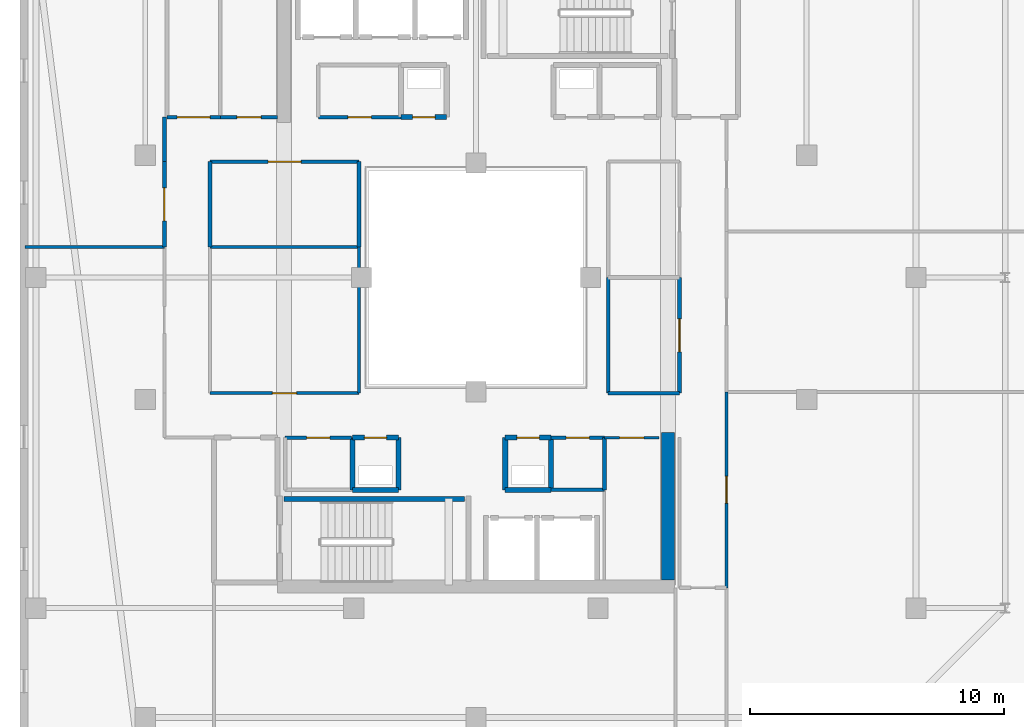
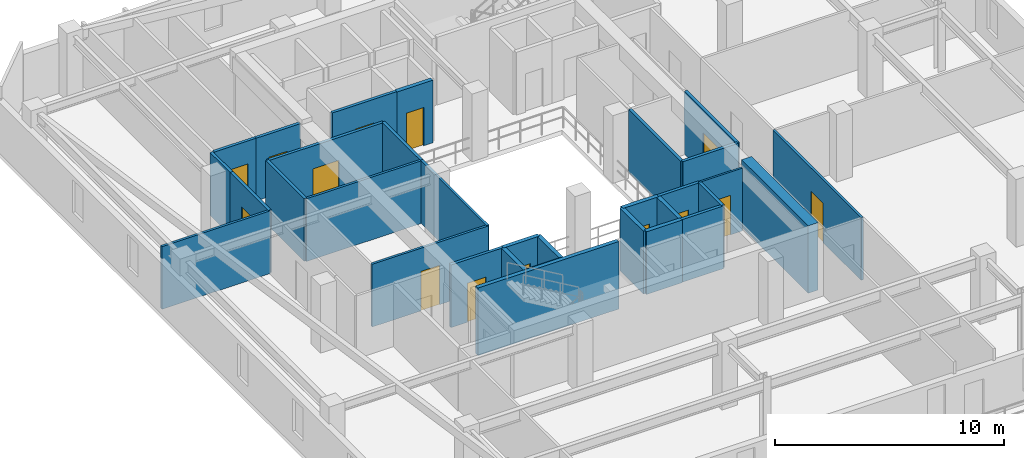
# One storey, part 22 of 35: 32 walls, 14 doors, 14 openings.
"""IFC4 building model written with IfcOpenShell, lengths in metres."""

from ifc_helpers import new_model, si_unit, direction, frame, frame_2d, origin, place, context, subcontext, project, spatial, rectangle, extrude, material, layer, layer_set, type_object, element, fill, save


model = new_model("IFC4")

# Units and contexts
model_context = context("Model", 3, precision=1e-05, world=origin(), true_north=direction((0.0, 1.0)))
body_context = subcontext(model_context, "Body", "Model", "MODEL_VIEW")
ifc_project = project(units=[si_unit("LENGTHUNIT", "METRE"), si_unit("AREAUNIT", "SQUARE_METRE"), si_unit("VOLUMEUNIT", "CUBIC_METRE"), si_unit("PLANEANGLEUNIT", "RADIAN"), si_unit("MASSUNIT", "GRAM", prefix="KILO")], contexts=[model_context])

# Site, building, storey
site_placement = place(None, origin())
site = spatial("IfcSite", under=ifc_project, at=site_placement, CompositionType="ELEMENT")
building_placement = place(site_placement, origin())
building = spatial("IfcBuilding", under=site, at=building_placement, Name="Thornwick Lancets Civic Towers", CompositionType="ELEMENT")
storey_placement = place(building_placement, frame((0.0, 0.0, 269.10009765625)))
storey = spatial("IfcBuildingStorey", under=building, at=storey_placement, Name="L72", CompositionType="ELEMENT", Elevation=269.10009765625)

# Walls
ifc_material_1 = material(Name="Concrete blockwork C40/50", Category="masonry")
ifc_layer_1 = layer(ifc_material_1, 0.199951171875, Name="Concrete blockwork C40/50")
ifc_layer_set_1 = layer_set([ifc_layer_1], Name="Concrete blockwork C40/50")
wall_type_1 = type_object("IfcWallType", Name="WALL_COMP_200", PredefinedType="STANDARD", material=ifc_layer_set_1)
wall_1_placement = place(storey_placement, frame((26.64990234375, 18.64990234375, 0.0), z_axis=(0.0, 0.0, 1.0), x_axis=(1.0, 0.0, 0.0)))
element("IfcWall", 1, at=wall_1_placement, inside=storey, type_object=wall_type_1, Name="L72 Partition L72-A-DUCT1 E1", PredefinedType="STANDARD", context=body_context, shape_type="SweptSolid", body=[
    extrude(rectangle(XDim=1.800048828125, YDim=0.199951171875, at=frame_2d((0.89990234375, 0.0))), origin(), (0.0, 0.0, 1.0), 3.33984375),
])
wall_2_placement = place(storey_placement, frame((28.449951171875, 18.64990234375, 0.0), z_axis=(0.0, 0.0, 1.0), x_axis=(0.0, 1.0, 0.0)))
element("IfcWall", 2, at=wall_2_placement, inside=storey, type_object=wall_type_1, Name="L72 Partition L72-A-DUCT1 E2", PredefinedType="STANDARD", context=body_context, shape_type="SweptSolid", body=[
    extrude(rectangle(XDim=2.050048828125, YDim=0.199951171875, at=frame_2d((1.02490234375, 0.0))), origin(), (0.0, 0.0, 1.0), 3.33984375),
])

# Wall, opening, door
wall_3_placement = place(storey_placement, frame((28.449951171875, 20.699951171875, 0.0), z_axis=(0.0, 0.0, 1.0), x_axis=(-1.0, 0.0, 0.0)))
wall_3 = element("IfcWall", 3, at=wall_3_placement, inside=storey, type_object=wall_type_1, Name="L72 Partition L72-A-DUCT1 E3", PredefinedType="STANDARD", context=body_context, shape_type="SweptSolid", body=[
    extrude(rectangle(XDim=1.800048828125, YDim=0.199951171875, at=frame_2d((0.89990234375, 0.0))), origin(), (0.0, 0.0, 1.0), 3.33984375),
])
opening_1_placement = place(wall_3_placement, frame((0.4599609375, 0.0, 0.0)))
opening_1 = element("IfcOpeningElement", 4, at=opening_1_placement, cuts=wall_3, Name="Opening D-L72-3279", PredefinedType="OPENING", context=body_context, shape_type="SweptSolid", body=[
    extrude(rectangle(XDim=0.8798828125, YDim=2.0400390625, at=frame_2d((0.43994140625, 1.02001953125))), frame((0.0, 0.10986328125, 0.0), z_axis=(0.0, -1.0, 0.0), x_axis=(1.0, 0.0, 0.0)), (0.0, 0.0, 1.0), 0.219970703125),
])
ifc_material_2 = material(Name="Steel riser access doorset", Category="steel")
door_type_1 = type_object("IfcDoorType", Name="DOOR_RISER_850", OperationType="NOTDEFINED", PredefinedType="DOOR", material=ifc_material_2)
door_1_placement = place(opening_1_placement, origin())
door_1 = element("IfcDoor", 5, at=door_1_placement, inside=storey, type_object=door_type_1, Name="L72 South Service Duct 1 Door", OperationType="SINGLE_SWING_RIGHT", OverallHeight=2.0400390625, OverallWidth=0.8798828125, PredefinedType="DOOR", context=body_context, shape_type="SweptSolid", body=[
    extrude(rectangle(XDim=0.8798828125, YDim=2.0400390625, at=frame_2d((0.43994140625, 1.02001953125))), frame((0.0, 0.02490234375, 0.0), z_axis=(0.0, -1.0, 0.0), x_axis=(1.0, 0.0, 0.0)), (0.0, 0.0, 1.0), 0.050048828125),
])
fill(opening_1, door_1)

# Walls
wall_4_placement = place(storey_placement, frame((26.64990234375, 20.699951171875, 0.0), z_axis=(0.0, 0.0, 1.0), x_axis=(0.0, -1.0, 0.0)))
element("IfcWall", 6, at=wall_4_placement, inside=storey, type_object=wall_type_1, Name="L72 Partition L72-A-DUCT1 E4", PredefinedType="STANDARD", context=body_context, shape_type="SweptSolid", body=[
    extrude(rectangle(XDim=2.050048828125, YDim=0.199951171875, at=frame_2d((1.02490234375, 0.0))), origin(), (0.0, 0.0, 1.0), 3.33984375),
])
wall_5_placement = place(storey_placement, frame((20.64990234375, 18.64990234375, 0.0), z_axis=(0.0, 0.0, 1.0), x_axis=(1.0, 0.0, 0.0)))
element("IfcWall", 7, at=wall_5_placement, inside=storey, type_object=wall_type_1, Name="L72 Partition L72-A-RISER1 E1", PredefinedType="STANDARD", context=body_context, shape_type="SweptSolid", body=[
    extrude(rectangle(XDim=1.800048828125, YDim=0.199951171875, at=frame_2d((0.89990234375, 0.0))), origin(), (0.0, 0.0, 1.0), 3.33984375),
])
wall_6_placement = place(storey_placement, frame((22.449951171875, 18.64990234375, 0.0), z_axis=(0.0, 0.0, 1.0), x_axis=(0.0, 1.0, 0.0)))
element("IfcWall", 8, at=wall_6_placement, inside=storey, type_object=wall_type_1, Name="L72 Partition L72-A-RISER1 E2", PredefinedType="STANDARD", context=body_context, shape_type="SweptSolid", body=[
    extrude(rectangle(XDim=2.050048828125, YDim=0.199951171875, at=frame_2d((1.02490234375, 0.0))), origin(), (0.0, 0.0, 1.0), 3.33984375),
])

# Wall, opening, door
wall_7_placement = place(storey_placement, frame((22.449951171875, 20.699951171875, 0.0), z_axis=(0.0, 0.0, 1.0), x_axis=(-1.0, 0.0, 0.0)))
wall_7 = element("IfcWall", 9, at=wall_7_placement, inside=storey, type_object=wall_type_1, Name="L72 Partition L72-A-RISER1 E3", PredefinedType="STANDARD", context=body_context, shape_type="SweptSolid", body=[
    extrude(rectangle(XDim=1.800048828125, YDim=0.199951171875, at=frame_2d((0.89990234375, 0.0))), origin(), (0.0, 0.0, 1.0), 3.33984375),
])
opening_2_placement = place(wall_7_placement, frame((0.4599609375, 0.0, 0.0)))
opening_2 = element("IfcOpeningElement", 10, at=opening_2_placement, cuts=wall_7, Name="Opening D-L72-3280", PredefinedType="OPENING", context=body_context, shape_type="SweptSolid", body=[
    extrude(rectangle(XDim=0.8798828125, YDim=2.0400390625, at=frame_2d((0.43994140625, 1.02001953125))), frame((0.0, 0.10986328125, 0.0), z_axis=(0.0, -1.0, 0.0), x_axis=(1.0, 0.0, 0.0)), (0.0, 0.0, 1.0), 0.219970703125),
])
door_2_placement = place(opening_2_placement, origin())
door_2 = element("IfcDoor", 11, at=door_2_placement, inside=storey, type_object=door_type_1, Name="L72 South Electrical Riser 1 Door", OperationType="SINGLE_SWING_LEFT", OverallHeight=2.0400390625, OverallWidth=0.8798828125, PredefinedType="DOOR", context=body_context, shape_type="SweptSolid", body=[
    extrude(rectangle(XDim=0.8798828125, YDim=2.0400390625, at=frame_2d((0.43994140625, 1.02001953125))), frame((0.0, 0.02490234375, 0.0), z_axis=(0.0, -1.0, 0.0), x_axis=(1.0, 0.0, 0.0)), (0.0, 0.0, 1.0), 0.050048828125),
])
fill(opening_2, door_2)

# Wall
wall_8_placement = place(storey_placement, frame((20.64990234375, 20.699951171875, 0.0), z_axis=(0.0, 0.0, 1.0), x_axis=(0.0, -1.0, 0.0)))
element("IfcWall", 12, at=wall_8_placement, inside=storey, type_object=wall_type_1, Name="L72 Partition L72-A-RISER1 E4", PredefinedType="STANDARD", context=body_context, shape_type="SweptSolid", body=[
    extrude(rectangle(XDim=2.050048828125, YDim=0.199951171875, at=frame_2d((1.02490234375, 0.0))), origin(), (0.0, 0.0, 1.0), 3.33984375),
])

# Wall, opening, door
wall_9_placement = place(storey_placement, frame((22.550048828125, 33.300048828125, 0.0), z_axis=(0.0, 0.0, 1.0), x_axis=(1.0, 0.0, 0.0)))
wall_9 = element("IfcWall", 13, at=wall_9_placement, inside=storey, type_object=wall_type_1, Name="L72 Partition L72-A-DUCT2 E1", PredefinedType="STANDARD", context=body_context, shape_type="SweptSolid", body=[
    extrude(rectangle(XDim=1.800048828125, YDim=0.199951171875, at=frame_2d((0.89990234375, 0.0))), origin(), (0.0, 0.0, 1.0), 3.33984375),
])
opening_3_placement = place(wall_9_placement, frame((0.4599609375, 0.0, 0.0)))
opening_3 = element("IfcOpeningElement", 14, at=opening_3_placement, cuts=wall_9, Name="Opening D-L72-3281", PredefinedType="OPENING", context=body_context, shape_type="SweptSolid", body=[
    extrude(rectangle(XDim=0.8798828125, YDim=2.0400390625, at=frame_2d((0.43994140625, 1.02001953125))), frame((0.0, 0.10986328125, 0.0), z_axis=(0.0, -1.0, 0.0), x_axis=(1.0, 0.0, 0.0)), (0.0, 0.0, 1.0), 0.219970703125),
])
door_3_placement = place(opening_3_placement, origin())
door_3 = element("IfcDoor", 15, at=door_3_placement, inside=storey, type_object=door_type_1, Name="L72 North Service Duct 2 Door", OperationType="SINGLE_SWING_RIGHT", OverallHeight=2.0400390625, OverallWidth=0.8798828125, PredefinedType="DOOR", context=body_context, shape_type="SweptSolid", body=[
    extrude(rectangle(XDim=0.8798828125, YDim=2.0400390625, at=frame_2d((0.43994140625, 1.02001953125))), frame((0.0, 0.02490234375, 0.0), z_axis=(0.0, -1.0, 0.0), x_axis=(1.0, 0.0, 0.0)), (0.0, 0.0, 1.0), 0.050048828125),
])
fill(opening_3, door_3)

# Wall
ifc_material_3 = material(Name="Concrete C50/60", Category="concrete")
ifc_layer_2 = layer(ifc_material_3, 0.5, Name="Concrete C50/60")
ifc_layer_set_2 = layer_set([ifc_layer_2], Name="Concrete C50/60")
wall_type_2 = type_object("IfcWallType", Name="WALL_CORE_500", PredefinedType="SHEAR", material=ifc_layer_set_2)
wall_10_placement = place(storey_placement, frame((33.050048828125, 15.10009765625, 0.0), z_axis=(0.0, 0.0, 1.0), x_axis=(0.0, 1.0, 0.0)))
element("IfcWall", 16, at=wall_10_placement, inside=storey, type_object=wall_type_2, Name="L72 Split Core A1 Shear Wall E", PredefinedType="SHEAR", context=body_context, shape_type="SweptSolid", body=[
    extrude(rectangle(XDim=5.7998046875, YDim=0.5, at=frame_2d((2.89990234375, 0.0))), origin(), (0.0, 0.0, 1.0), 3.599853515625),
])

# Wall, opening, door
ifc_material_4 = material(Name="Lightweight cellular office partition")
ifc_layer_3 = layer(ifc_material_4, 0.10009765625, Name="Lightweight cellular office partition")
ifc_layer_set_3 = layer_set([ifc_layer_3], Name="Lightweight cellular office partition")
wall_type_3 = type_object("IfcWallType", Name="WALL_PART_100", PredefinedType="PARTITIONING", material=ifc_layer_set_3)
wall_11_placement = place(storey_placement, frame((30.550048828125, 20.699951171875, 0.0), z_axis=(0.0, 0.0, 1.0), x_axis=(1.0, 0.0, 0.0)))
wall_11 = element("IfcWall", 17, at=wall_11_placement, inside=storey, type_object=wall_type_3, Name="L72 Partition L72-A-CLN E5", PredefinedType="PARTITIONING", context=body_context, shape_type="SweptSolid", body=[
    extrude(rectangle(XDim=2.14990234375, YDim=0.10009765625, at=frame_2d((1.074951171875, 0.0))), origin(), (0.0, 0.0, 1.0), 3.33984375),
])
opening_4_placement = place(wall_11_placement, frame((0.60009765625, 0.0, 0.0)))
opening_4 = element("IfcOpeningElement", 18, at=opening_4_placement, cuts=wall_11, Name="Opening D-L72-3285", PredefinedType="OPENING", context=body_context, shape_type="SweptSolid", body=[
    extrude(rectangle(XDim=0.949951171875, YDim=2.10009765625, at=frame_2d((0.47509765625, 1.050048828125))), frame((0.0, 0.06005859375, 0.0), z_axis=(0.0, -1.0, 0.0), x_axis=(1.0, 0.0, 0.0)), (0.0, 0.0, 1.0), 0.1201171875),
])
ifc_material_5 = material(Name="European oak acoustic doorset")
door_type_2 = type_object("IfcDoorType", Name="DOOR_OFFICE_950", OperationType="NOTDEFINED", PredefinedType="DOOR", material=ifc_material_5)
door_4_placement = place(opening_4_placement, origin())
door_4 = element("IfcDoor", 19, at=door_4_placement, inside=storey, type_object=door_type_2, Name="L72 Tower A Cleaners Store Door", OperationType="SINGLE_SWING_RIGHT", OverallHeight=2.10009765625, OverallWidth=0.949951171875, PredefinedType="DOOR", context=body_context, shape_type="SweptSolid", body=[
    extrude(rectangle(XDim=0.949951171875, YDim=2.10009765625, at=frame_2d((0.47509765625, 1.050048828125))), frame((0.0, 0.02490234375, 0.0), z_axis=(0.0, -1.0, 0.0), x_axis=(1.0, 0.0, 0.0)), (0.0, 0.0, 1.0), 0.050048828125),
])
fill(opening_4, door_4)

# Walls
ifc_material_6 = material(Name="Acoustic gypsum board partition")
ifc_layer_4 = layer(ifc_material_6, 0.1201171875, Name="Acoustic gypsum board partition")
ifc_layer_set_4 = layer_set([ifc_layer_4], Name="Acoustic gypsum board partition")
wall_type_4 = type_object("IfcWallType", Name="WALL_PART_120", PredefinedType="PARTITIONING", material=ifc_layer_set_4)
wall_12_placement = place(storey_placement, frame((7.780029296875, 28.199951171875, 0.0), z_axis=(0.0, 0.0, 1.0), x_axis=(1.0, 0.0, 0.0)))
element("IfcWall", 20, at=wall_12_placement, inside=storey, type_object=wall_type_4, Name="L72 Partition L72-A-W1 E9", PredefinedType="PARTITIONING", context=body_context, shape_type="SweptSolid", body=[
    extrude(rectangle(XDim=5.469970703125, YDim=0.1201171875, at=frame_2d((2.73486328125, 0.0))), origin(), (0.0, 0.0, 1.0), 3.33984375),
])
wall_13_placement = place(storey_placement, frame((15.050048828125, 28.199951171875, 0.0), z_axis=(0.0, 0.0, 1.0), x_axis=(1.0, 0.0, 0.0)))
element("IfcWall", 21, at=wall_13_placement, inside=storey, type_object=wall_type_4, Name="L72 Partition L72-A-W3 E2", PredefinedType="PARTITIONING", context=body_context, shape_type="SweptSolid", body=[
    extrude(rectangle(XDim=5.849853515625, YDim=0.1201171875, at=frame_2d((2.9248046875, 0.0))), origin(), (0.0, 0.0, 1.0), 3.33984375),
])
wall_14_placement = place(storey_placement, frame((20.89990234375, 28.199951171875, 0.0), z_axis=(0.0, 0.0, 1.0), x_axis=(0.0, -1.0, 0.0)))
element("IfcWall", 22, at=wall_14_placement, inside=storey, type_object=wall_type_4, Name="L72 Partition L72-A-W3 E3", PredefinedType="PARTITIONING", context=body_context, shape_type="SweptSolid", body=[
    extrude(rectangle(XDim=5.75, YDim=0.1201171875, at=frame_2d((2.875, 0.0))), origin(), (0.0, 0.0, 1.0), 3.33984375),
])

# Wall, opening, door
wall_15_placement = place(storey_placement, frame((20.89990234375, 22.449951171875, 0.0), z_axis=(0.0, 0.0, 1.0), x_axis=(-1.0, 0.0, 0.0)))
wall_15 = element("IfcWall", 23, at=wall_15_placement, inside=storey, type_object=wall_type_4, Name="L72 Partition L72-A-W3 E4", PredefinedType="PARTITIONING", context=body_context, shape_type="SweptSolid", body=[
    extrude(rectangle(XDim=5.849853515625, YDim=0.1201171875, at=frame_2d((2.9248046875, 0.0))), origin(), (0.0, 0.0, 1.0), 3.33984375),
])
opening_5_placement = place(wall_15_placement, frame((2.449951171875, 0.0, 0.0)))
opening_5 = element("IfcOpeningElement", 24, at=opening_5_placement, cuts=wall_15, Name="Opening D-L72-3304", PredefinedType="OPENING", context=body_context, shape_type="SweptSolid", body=[
    extrude(rectangle(XDim=0.949951171875, YDim=2.10009765625, at=frame_2d((0.47509765625, 1.050048828125))), frame((0.0, 0.070068359375, 0.0), z_axis=(0.0, -1.0, 0.0), x_axis=(1.0, 0.0, 0.0)), (0.0, 0.0, 1.0), 0.14013671875),
])
door_5_placement = place(opening_5_placement, origin())
door_5 = element("IfcDoor", 25, at=door_5_placement, inside=storey, type_object=door_type_2, Name="L72 Tower A Staff Tea Pantry and Lounge Door", OperationType="SINGLE_SWING_LEFT", OverallHeight=2.10009765625, OverallWidth=0.949951171875, PredefinedType="DOOR", context=body_context, shape_type="SweptSolid", body=[
    extrude(rectangle(XDim=0.949951171875, YDim=2.10009765625, at=frame_2d((0.47509765625, 1.050048828125))), frame((0.0, 0.02490234375, 0.0), z_axis=(0.0, -1.0, 0.0), x_axis=(1.0, 0.0, 0.0)), (0.0, 0.0, 1.0), 0.050048828125),
])
fill(opening_5, door_5)

wall_16_placement = place(storey_placement, frame((35.35009765625, 14.800048828125, 0.0), z_axis=(0.0, 0.0, 1.0), x_axis=(0.0, 1.0, 0.0)))
wall_16 = element("IfcWall", 26, at=wall_16_placement, inside=storey, type_object=wall_type_4, Name="L72 Partition L72-A-E1 E3", PredefinedType="PARTITIONING", context=body_context, shape_type="SweptSolid", body=[
    extrude(rectangle(XDim=7.699951171875, YDim=0.1201171875, at=frame_2d((3.85009765625, 0.0))), origin(), (0.0, 0.0, 1.0), 3.33984375),
])
opening_6_placement = place(wall_16_placement, frame((3.324951171875, 0.0, 0.0)))
opening_6 = element("IfcOpeningElement", 27, at=opening_6_placement, cuts=wall_16, Name="Opening D-L72-3306", PredefinedType="OPENING", context=body_context, shape_type="SweptSolid", body=[
    extrude(rectangle(XDim=1.050048828125, YDim=2.10009765625, at=frame_2d((0.52490234375, 1.050048828125))), frame((0.0, 0.070068359375, 0.0), z_axis=(0.0, -1.0, 0.0), x_axis=(1.0, 0.0, 0.0)), (0.0, 0.0, 1.0), 0.14013671875),
])
ifc_material_7 = material(Name="Glazed European oak executive doorset")
door_type_3 = type_object("IfcDoorType", Name="DOOR_OFFICE_1050", OperationType="NOTDEFINED", PredefinedType="DOOR", material=ifc_material_7)
door_6_placement = place(opening_6_placement, origin())
door_6 = element("IfcDoor", 28, at=door_6_placement, inside=storey, type_object=door_type_3, Name="L72 Tower A Secretariat Open Office E1 Door", OperationType="SINGLE_SWING_LEFT", OverallHeight=2.10009765625, OverallWidth=1.050048828125, PredefinedType="DOOR", context=body_context, shape_type="SweptSolid", body=[
    extrude(rectangle(XDim=1.050048828125, YDim=2.10009765625, at=frame_2d((0.52490234375, 1.050048828125))), frame((0.0, 0.02490234375, 0.0), z_axis=(0.0, -1.0, 0.0), x_axis=(1.0, 0.0, 0.0)), (0.0, 0.0, 1.0), 0.050048828125),
])
fill(opening_6, door_6)

ifc_material_8 = material(Name="Twin-stud acoustic gypsum board")
ifc_layer_5 = layer(ifc_material_8, 0.14990234375, Name="Twin-stud acoustic gypsum board")
ifc_layer_set_5 = layer_set([ifc_layer_5], Name="Twin-stud acoustic gypsum board")
wall_type_5 = type_object("IfcWallType", Name="WALL_PART_150", PredefinedType="PARTITIONING", material=ifc_layer_set_5)
wall_17_placement = place(storey_placement, frame((20.60009765625, 20.699951171875, 0.0), z_axis=(0.0, 0.0, 1.0), x_axis=(-1.0, 0.0, 0.0)))
wall_17 = element("IfcWall", 29, at=wall_17_placement, inside=storey, type_object=wall_type_5, Name="L72 Partition L72-A-AWC E3", PredefinedType="PARTITIONING", context=body_context, shape_type="SweptSolid", body=[
    extrude(rectangle(XDim=2.60009765625, YDim=0.14990234375, at=frame_2d((1.300048828125, 0.0))), origin(), (0.0, 0.0, 1.0), 3.33984375),
])
opening_7_placement = place(wall_17_placement, frame((0.840087890625, 0.0, 0.0)))
opening_7 = element("IfcOpeningElement", 30, at=opening_7_placement, cuts=wall_17, Name="Opening D-L72-3283", PredefinedType="OPENING", context=body_context, shape_type="SweptSolid", body=[
    extrude(rectangle(XDim=0.919921875, YDim=2.080078125, at=frame_2d((0.4599609375, 1.0400390625))), frame((0.0, 0.0849609375, 0.0), z_axis=(0.0, -1.0, 0.0), x_axis=(1.0, 0.0, 0.0)), (0.0, 0.0, 1.0), 0.169921875),
])
ifc_material_9 = material(Name="Moisture-resistant oak doorset")
door_type_4 = type_object("IfcDoorType", Name="DOOR_WC_900", OperationType="NOTDEFINED", PredefinedType="DOOR", material=ifc_material_9)
door_7_placement = place(opening_7_placement, origin())
door_7 = element("IfcDoor", 31, at=door_7_placement, inside=storey, type_object=door_type_4, Name="L72 Tower A Accessible WC Door", OperationType="SINGLE_SWING_RIGHT", OverallHeight=2.080078125, OverallWidth=0.919921875, PredefinedType="DOOR", context=body_context, shape_type="SweptSolid", body=[
    extrude(rectangle(XDim=0.919921875, YDim=2.080078125, at=frame_2d((0.4599609375, 1.0400390625))), frame((0.0, 0.02490234375, 0.0), z_axis=(0.0, -1.0, 0.0), x_axis=(1.0, 0.0, 0.0)), (0.0, 0.0, 1.0), 0.050048828125),
])
fill(opening_7, door_7)

# Walls
wall_18_placement = place(storey_placement, frame((30.550048828125, 20.699951171875, 0.0), z_axis=(0.0, 0.0, 1.0), x_axis=(0.0, -1.0, 0.0)))
element("IfcWall", 32, at=wall_18_placement, inside=storey, type_object=wall_type_5, Name="L72 Partition L72-A-MWC E1", PredefinedType="PARTITIONING", context=body_context, shape_type="SweptSolid", body=[
    extrude(rectangle(XDim=2.050048828125, YDim=0.14990234375, at=frame_2d((1.02490234375, 0.0))), origin(), (0.0, 0.0, 1.0), 3.33984375),
])
wall_19_placement = place(storey_placement, frame((30.550048828125, 18.64990234375, 0.0), z_axis=(0.0, 0.0, 1.0), x_axis=(-1.0, 0.0, 0.0)))
element("IfcWall", 33, at=wall_19_placement, inside=storey, type_object=wall_type_5, Name="L72 Partition L72-A-MWC E2", PredefinedType="PARTITIONING", context=body_context, shape_type="SweptSolid", body=[
    extrude(rectangle(XDim=2.10009765625, YDim=0.14990234375, at=frame_2d((1.050048828125, 0.0))), origin(), (0.0, 0.0, 1.0), 3.33984375),
])

# Wall, opening, door
wall_20_placement = place(storey_placement, frame((28.449951171875, 20.699951171875, 0.0), z_axis=(0.0, 0.0, 1.0), x_axis=(1.0, 0.0, 0.0)))
wall_20 = element("IfcWall", 34, at=wall_20_placement, inside=storey, type_object=wall_type_5, Name="L72 Partition L72-A-MWC E4", PredefinedType="PARTITIONING", context=body_context, shape_type="SweptSolid", body=[
    extrude(rectangle(XDim=2.10009765625, YDim=0.14990234375, at=frame_2d((1.050048828125, 0.0))), origin(), (0.0, 0.0, 1.0), 3.33984375),
])
opening_8_placement = place(wall_20_placement, frame((0.590087890625, 0.0, 0.0)))
opening_8 = element("IfcOpeningElement", 35, at=opening_8_placement, cuts=wall_20, Name="Opening D-L72-3284", PredefinedType="OPENING", context=body_context, shape_type="SweptSolid", body=[
    extrude(rectangle(XDim=0.919921875, YDim=2.080078125, at=frame_2d((0.4599609375, 1.0400390625))), frame((0.0, 0.0849609375, 0.0), z_axis=(0.0, -1.0, 0.0), x_axis=(1.0, 0.0, 0.0)), (0.0, 0.0, 1.0), 0.169921875),
])
door_8_placement = place(opening_8_placement, origin())
door_8 = element("IfcDoor", 36, at=door_8_placement, inside=storey, type_object=door_type_4, Name="L72 Tower A Male WC Door", OperationType="SINGLE_SWING_LEFT", OverallHeight=2.080078125, OverallWidth=0.919921875, PredefinedType="DOOR", context=body_context, shape_type="SweptSolid", body=[
    extrude(rectangle(XDim=0.919921875, YDim=2.080078125, at=frame_2d((0.4599609375, 1.0400390625))), frame((0.0, 0.02490234375, 0.0), z_axis=(0.0, -1.0, 0.0), x_axis=(1.0, 0.0, 0.0)), (0.0, 0.0, 1.0), 0.050048828125),
])
fill(opening_8, door_8)

wall_21_placement = place(storey_placement, frame((22.550048828125, 33.300048828125, 0.0), z_axis=(0.0, 0.0, 1.0), x_axis=(-1.0, 0.0, 0.0)))
wall_21 = element("IfcWall", 37, at=wall_21_placement, inside=storey, type_object=wall_type_5, Name="L72 Partition L72-A-FWC E4", PredefinedType="PARTITIONING", context=body_context, shape_type="SweptSolid", body=[
    extrude(rectangle(XDim=3.25, YDim=0.14990234375, at=frame_2d((1.625, 0.0))), origin(), (0.0, 0.0, 1.0), 3.33984375),
])
opening_9_placement = place(wall_21_placement, frame((1.1650390625, 0.0, 0.0)))
opening_9 = element("IfcOpeningElement", 38, at=opening_9_placement, cuts=wall_21, Name="Opening D-L72-3286", PredefinedType="OPENING", context=body_context, shape_type="SweptSolid", body=[
    extrude(rectangle(XDim=0.919921875, YDim=2.080078125, at=frame_2d((0.4599609375, 1.0400390625))), frame((0.0, 0.0849609375, 0.0), z_axis=(0.0, -1.0, 0.0), x_axis=(1.0, 0.0, 0.0)), (0.0, 0.0, 1.0), 0.169921875),
])
door_9_placement = place(opening_9_placement, origin())
door_9 = element("IfcDoor", 39, at=door_9_placement, inside=storey, type_object=door_type_4, Name="L72 Tower A Female WC Door", OperationType="SINGLE_SWING_LEFT", OverallHeight=2.080078125, OverallWidth=0.919921875, PredefinedType="DOOR", context=body_context, shape_type="SweptSolid", body=[
    extrude(rectangle(XDim=0.919921875, YDim=2.080078125, at=frame_2d((0.4599609375, 1.0400390625))), frame((0.0, 0.02490234375, 0.0), z_axis=(0.0, -1.0, 0.0), x_axis=(1.0, 0.0, 0.0)), (0.0, 0.0, 1.0), 0.050048828125),
])
fill(opening_9, door_9)

wall_22_placement = place(storey_placement, frame((15.449951171875, 33.300048828125, 0.0), z_axis=(0.0, 0.0, 1.0), x_axis=(-1.0, 0.0, 0.0)))
wall_22 = element("IfcWall", 40, at=wall_22_placement, inside=storey, type_object=wall_type_5, Name="L72 Partition L72-A-RECLAIM-M1 E4", PredefinedType="PARTITIONING", context=body_context, shape_type="SweptSolid", body=[
    extrude(rectangle(XDim=2.099853515625, YDim=0.14990234375, at=frame_2d((1.0498046875, 0.0))), origin(), (0.0, 0.0, 1.0), 3.33984375),
])
opening_10_placement = place(wall_22_placement, frame((0.39990234375, 0.0, 0.0)))
opening_10 = element("IfcOpeningElement", 41, at=opening_10_placement, cuts=wall_22, Name="Opening D-L72-3300", PredefinedType="OPENING", context=body_context, shape_type="SweptSolid", body=[
    extrude(rectangle(XDim=1.300048828125, YDim=2.1201171875, at=frame_2d((0.64990234375, 1.06005859375))), frame((0.0, 0.0849609375, 0.0), z_axis=(0.0, -1.0, 0.0), x_axis=(1.0, 0.0, 0.0)), (0.0, 0.0, 1.0), 0.169921875),
])
ifc_material_10 = material(Name="Acoustic oak leaf-and-a-half doorset")
door_type_5 = type_object("IfcDoorType", Name="DOOR_MEET_1300", OperationType="DOUBLE_DOOR_SINGLE_SWING", PredefinedType="DOOR", material=ifc_material_10)
door_10_placement = place(opening_10_placement, origin())
door_10 = element("IfcDoor", 42, at=door_10_placement, inside=storey, type_object=door_type_5, Name="L72 Tower A Diplomatic Conference Room Door", OperationType="DOUBLE_DOOR_SINGLE_SWING", OverallHeight=2.1201171875, OverallWidth=1.300048828125, PredefinedType="DOOR", context=body_context, shape_type="SweptSolid", body=[
    extrude(rectangle(XDim=1.300048828125, YDim=2.1201171875, at=frame_2d((0.64990234375, 1.06005859375))), frame((0.0, 0.02490234375, 0.0), z_axis=(0.0, -1.0, 0.0), x_axis=(1.0, 0.0, 0.0)), (0.0, 0.0, 1.0), 0.050048828125),
])
fill(opening_10, door_10)

wall_23_placement = place(storey_placement, frame((17.699951171875, 33.300048828125, 0.0), z_axis=(0.0, 0.0, 1.0), x_axis=(-1.0, 0.0, 0.0)))
wall_23 = element("IfcWall", 43, at=wall_23_placement, inside=storey, type_object=wall_type_5, Name="L72 Partition L72-A-RECLAIM-M2 E4", PredefinedType="PARTITIONING", context=body_context, shape_type="SweptSolid", body=[
    extrude(rectangle(XDim=2.25, YDim=0.14990234375, at=frame_2d((1.125, 0.0))), origin(), (0.0, 0.0, 1.0), 3.33984375),
])
opening_11_placement = place(wall_23_placement, frame((0.64990234375, 0.0, 0.0)))
opening_11 = element("IfcOpeningElement", 44, at=opening_11_placement, cuts=wall_23, Name="Opening D-L72-3301", PredefinedType="OPENING", context=body_context, shape_type="SweptSolid", body=[
    extrude(rectangle(XDim=0.949951171875, YDim=2.10009765625, at=frame_2d((0.47509765625, 1.050048828125))), frame((0.0, 0.0849609375, 0.0), z_axis=(0.0, -1.0, 0.0), x_axis=(1.0, 0.0, 0.0)), (0.0, 0.0, 1.0), 0.169921875),
])
door_11_placement = place(opening_11_placement, origin())
door_11 = element("IfcDoor", 45, at=door_11_placement, inside=storey, type_object=door_type_2, Name="L72 Tower A Executive Records Archive Door", OperationType="SINGLE_SWING_RIGHT", OverallHeight=2.10009765625, OverallWidth=0.949951171875, PredefinedType="DOOR", context=body_context, shape_type="SweptSolid", body=[
    extrude(rectangle(XDim=0.949951171875, YDim=2.10009765625, at=frame_2d((0.47509765625, 1.050048828125))), frame((0.0, 0.02490234375, 0.0), z_axis=(0.0, -1.0, 0.0), x_axis=(1.0, 0.0, 0.0)), (0.0, 0.0, 1.0), 0.050048828125),
])
fill(opening_11, door_11)

# Wall
wall_24_placement = place(storey_placement, frame((13.25, 33.300048828125, 0.0), z_axis=(0.0, 0.0, 1.0), x_axis=(0.0, -1.0, 0.0)))
element("IfcWall", 46, at=wall_24_placement, inside=storey, type_object=wall_type_5, Name="L72 Partition L72-A-W2 E5", PredefinedType="PARTITIONING", context=body_context, shape_type="SweptSolid", body=[
    extrude(rectangle(XDim=1.75, YDim=0.14990234375, at=frame_2d((0.875, 0.0))), origin(), (0.0, 0.0, 1.0), 3.33984375),
])

# Wall, opening, door
wall_25_placement = place(storey_placement, frame((13.25, 31.550048828125, 0.0), z_axis=(0.0, 0.0, 1.0), x_axis=(0.0, -1.0, 0.0)))
wall_25 = element("IfcWall", 47, at=wall_25_placement, inside=storey, type_object=wall_type_5, Name="L72 Partition L72-A-W2 E6", PredefinedType="PARTITIONING", context=body_context, shape_type="SweptSolid", body=[
    extrude(rectangle(XDim=3.35009765625, YDim=0.14990234375, at=frame_2d((1.675048828125, 0.0))), origin(), (0.0, 0.0, 1.0), 3.33984375),
])
opening_12_placement = place(wall_25_placement, frame((1.02490234375, 0.0, 0.0)))
opening_12 = element("IfcOpeningElement", 48, at=opening_12_placement, cuts=wall_25, Name="Opening D-L72-3303", PredefinedType="OPENING", context=body_context, shape_type="SweptSolid", body=[
    extrude(rectangle(XDim=1.300048828125, YDim=2.1201171875, at=frame_2d((0.64990234375, 1.06005859375))), frame((0.0, 0.0849609375, 0.0), z_axis=(0.0, -1.0, 0.0), x_axis=(1.0, 0.0, 0.0)), (0.0, 0.0, 1.0), 0.169921875),
])
door_12_placement = place(opening_12_placement, origin())
door_12 = element("IfcDoor", 49, at=door_12_placement, inside=storey, type_object=door_type_5, Name="L72 Tower A Policy Briefing Room W2 Door", OperationType="DOUBLE_DOOR_SINGLE_SWING", OverallHeight=2.1201171875, OverallWidth=1.300048828125, PredefinedType="DOOR", context=body_context, shape_type="SweptSolid", body=[
    extrude(rectangle(XDim=1.300048828125, YDim=2.1201171875, at=frame_2d((0.64990234375, 1.06005859375))), frame((0.0, 0.02490234375, 0.0), z_axis=(0.0, -1.0, 0.0), x_axis=(1.0, 0.0, 0.0)), (0.0, 0.0, 1.0), 0.050048828125),
])
fill(opening_12, door_12)

# Wall
wall_26_placement = place(storey_placement, frame((15.050048828125, 28.199951171875, 0.0), z_axis=(0.0, 0.0, 1.0), x_axis=(0.0, 1.0, 0.0)))
element("IfcWall", 50, at=wall_26_placement, inside=storey, type_object=wall_type_5, Name="L72 Partition L72-A-W4 E1", PredefinedType="PARTITIONING", context=body_context, shape_type="SweptSolid", body=[
    extrude(rectangle(XDim=3.35009765625, YDim=0.14990234375, at=frame_2d((1.675048828125, 0.0))), origin(), (0.0, 0.0, 1.0), 3.33984375),
])

# Wall, opening, door
wall_27_placement = place(storey_placement, frame((15.050048828125, 31.550048828125, 0.0), z_axis=(0.0, 0.0, 1.0), x_axis=(1.0, 0.0, 0.0)))
wall_27 = element("IfcWall", 51, at=wall_27_placement, inside=storey, type_object=wall_type_5, Name="L72 Partition L72-A-W4 E2", PredefinedType="PARTITIONING", context=body_context, shape_type="SweptSolid", body=[
    extrude(rectangle(XDim=5.849853515625, YDim=0.14990234375, at=frame_2d((2.9248046875, 0.0))), origin(), (0.0, 0.0, 1.0), 3.33984375),
])
opening_13_placement = place(wall_27_placement, frame((2.27490234375, 0.0, 0.0)))
opening_13 = element("IfcOpeningElement", 52, at=opening_13_placement, cuts=wall_27, Name="Opening D-L72-3305", PredefinedType="OPENING", context=body_context, shape_type="SweptSolid", body=[
    extrude(rectangle(XDim=1.300048828125, YDim=2.1201171875, at=frame_2d((0.64990234375, 1.06005859375))), frame((0.0, 0.0849609375, 0.0), z_axis=(0.0, -1.0, 0.0), x_axis=(1.0, 0.0, 0.0)), (0.0, 0.0, 1.0), 0.169921875),
])
door_13_placement = place(opening_13_placement, origin())
door_13 = element("IfcDoor", 53, at=door_13_placement, inside=storey, type_object=door_type_5, Name="L72 Tower A West Briefing Room W4 Door", OperationType="DOUBLE_DOOR_SINGLE_SWING", OverallHeight=2.1201171875, OverallWidth=1.300048828125, PredefinedType="DOOR", context=body_context, shape_type="SweptSolid", body=[
    extrude(rectangle(XDim=1.300048828125, YDim=2.1201171875, at=frame_2d((0.64990234375, 1.06005859375))), frame((0.0, 0.02490234375, 0.0), z_axis=(0.0, -1.0, 0.0), x_axis=(1.0, 0.0, 0.0)), (0.0, 0.0, 1.0), 0.050048828125),
])
fill(opening_13, door_13)

# Walls
wall_28_placement = place(storey_placement, frame((20.89990234375, 31.550048828125, 0.0), z_axis=(0.0, 0.0, 1.0), x_axis=(0.0, -1.0, 0.0)))
element("IfcWall", 54, at=wall_28_placement, inside=storey, type_object=wall_type_5, Name="L72 Partition L72-A-W4 E3", PredefinedType="PARTITIONING", context=body_context, shape_type="SweptSolid", body=[
    extrude(rectangle(XDim=3.35009765625, YDim=0.14990234375, at=frame_2d((1.675048828125, 0.0))), origin(), (0.0, 0.0, 1.0), 3.33984375),
])
wall_29_placement = place(storey_placement, frame((30.699951171875, 22.449951171875, 0.0), z_axis=(0.0, 0.0, 1.0), x_axis=(0.0, 1.0, 0.0)))
element("IfcWall", 55, at=wall_29_placement, inside=storey, type_object=wall_type_5, Name="L72 Partition L72-A-E-ATR-1 E1", PredefinedType="PARTITIONING", context=body_context, shape_type="SweptSolid", body=[
    extrude(rectangle(XDim=4.550048828125, YDim=0.14990234375, at=frame_2d((2.27490234375, 0.0))), origin(), (0.0, 0.0, 1.0), 3.33984375),
])

# Wall, opening, door
wall_30_placement = place(storey_placement, frame((33.5, 27.0, 0.0), z_axis=(0.0, 0.0, 1.0), x_axis=(0.0, -1.0, 0.0)))
wall_30 = element("IfcWall", 56, at=wall_30_placement, inside=storey, type_object=wall_type_5, Name="L72 Partition L72-A-E-ATR-1 E3", PredefinedType="PARTITIONING", context=body_context, shape_type="SweptSolid", body=[
    extrude(rectangle(XDim=4.550048828125, YDim=0.14990234375, at=frame_2d((2.27490234375, 0.0))), origin(), (0.0, 0.0, 1.0), 3.33984375),
])
opening_14_placement = place(wall_30_placement, frame((1.625, 0.0, 0.0)))
opening_14 = element("IfcOpeningElement", 57, at=opening_14_placement, cuts=wall_30, Name="Opening D-L72-3309", PredefinedType="OPENING", context=body_context, shape_type="SweptSolid", body=[
    extrude(rectangle(XDim=1.300048828125, YDim=2.1201171875, at=frame_2d((0.64990234375, 1.06005859375))), frame((0.0, 0.0849609375, 0.0), z_axis=(0.0, -1.0, 0.0), x_axis=(1.0, 0.0, 0.0)), (0.0, 0.0, 1.0), 0.169921875),
])
door_14_placement = place(opening_14_placement, origin())
door_14 = element("IfcDoor", 58, at=door_14_placement, inside=storey, type_object=door_type_5, Name="L72 Tower A Atrium Briefing Room Door", OperationType="DOUBLE_DOOR_SINGLE_SWING", OverallHeight=2.1201171875, OverallWidth=1.300048828125, PredefinedType="DOOR", context=body_context, shape_type="SweptSolid", body=[
    extrude(rectangle(XDim=1.300048828125, YDim=2.1201171875, at=frame_2d((0.64990234375, 1.06005859375))), frame((0.0, 0.02490234375, 0.0), z_axis=(0.0, -1.0, 0.0), x_axis=(1.0, 0.0, 0.0)), (0.0, 0.0, 1.0), 0.050048828125),
])
fill(opening_14, door_14)

# Walls
wall_31_placement = place(storey_placement, frame((33.5, 22.449951171875, 0.0), z_axis=(0.0, 0.0, 1.0), x_axis=(-1.0, 0.0, 0.0)))
element("IfcWall", 59, at=wall_31_placement, inside=storey, type_object=wall_type_5, Name="L72 Partition L72-A-E-ATR-1 E4", PredefinedType="PARTITIONING", context=body_context, shape_type="SweptSolid", body=[
    extrude(rectangle(XDim=2.800048828125, YDim=0.14990234375, at=frame_2d((1.39990234375, 0.0))), origin(), (0.0, 0.0, 1.0), 3.33984375),
])
ifc_material_11 = material(Name="Concrete C40/50", Category="concrete")
ifc_layer_6 = layer(ifc_material_11, 0.199951171875, Name="Concrete C40/50")
ifc_layer_set_6 = layer_set([ifc_layer_6], Name="Concrete C40/50")
wall_type_6 = type_object("IfcWallType", Name="WALL_SHAFT_200", PredefinedType="SHEAR", material=ifc_layer_set_6)
wall_32_placement = place(storey_placement, frame((25.050048828125, 18.297119140625, 0.0), z_axis=(0.0, 0.0, 1.0), x_axis=(-1.0, 0.0, 0.0)))
element("IfcWall", 60, at=wall_32_placement, inside=storey, type_object=wall_type_6, Name="L72 ST-A1 Fire Stair Core Wall RIGHT", PredefinedType="SHEAR", context=body_context, shape_type="SweptSolid", body=[
    extrude(rectangle(XDim=7.10009765625, YDim=0.199951171875, at=frame_2d((3.550048828125, 0.0))), origin(), (0.0, 0.0, 1.0), 3.599853515625),
])

save(model, "model.ifc")
